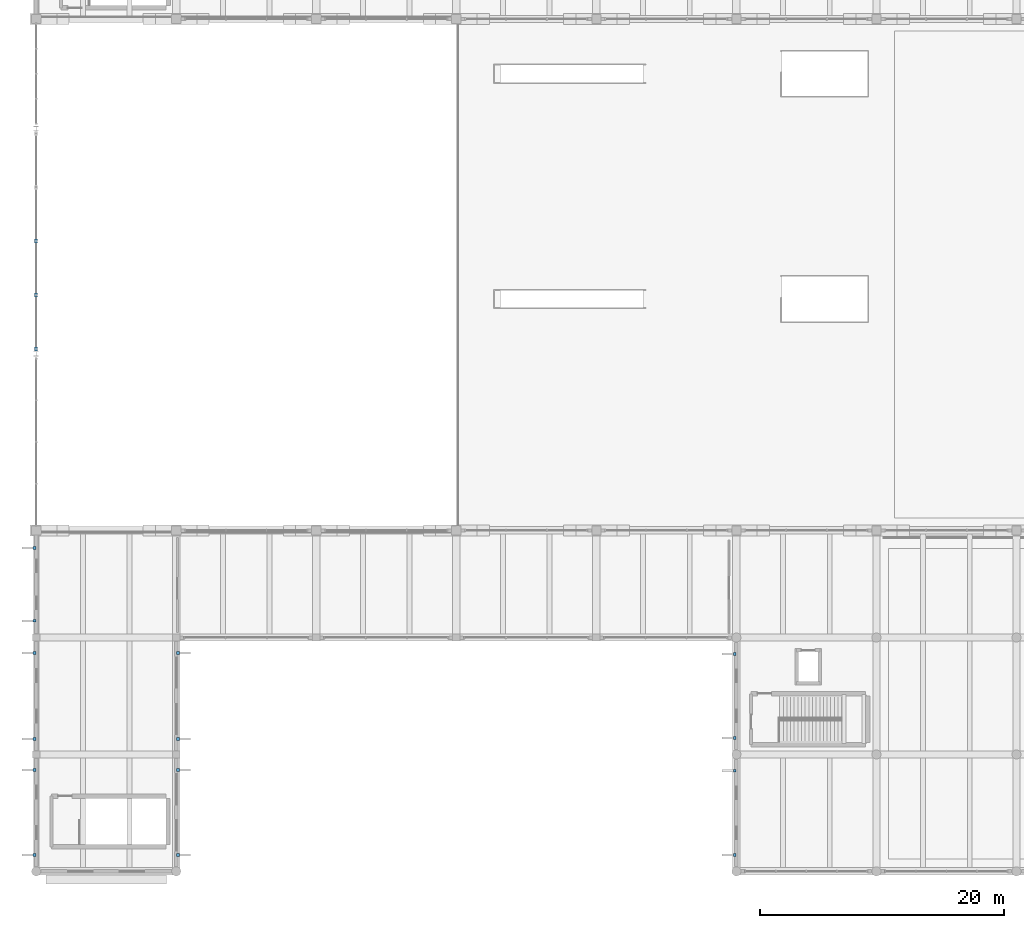
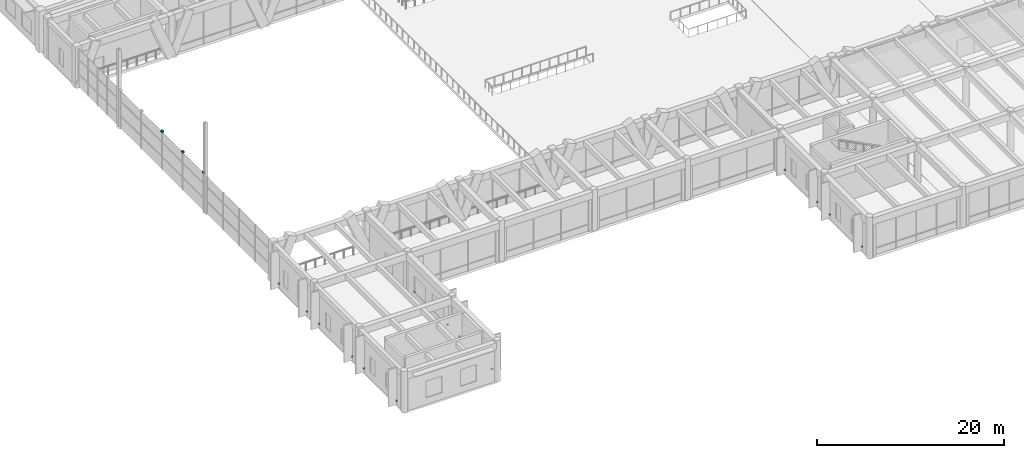
# One storey, part 136 of 148: 17 discrete accessories.
"""IFC4 building model written with IfcOpenShell, lengths in metres."""

import ifcopenshell
import ifcopenshell.guid

model = None  # the IFC model being written
_history = None  # IfcOwnerHistory: only IFC2X3 demands one
_inside = {}  # id of a spatial element -> (the spatial element, [elements in it])
_under = {}  # id of a project, library or spatial element -> (it, [spatial elements below it])
_declared = {}  # id of a project -> (the project, [libraries it declares])
_typed = {}  # id of a type object -> (the type object, [elements of that type])
_made_of = {}  # id of a material, layer set ... -> (it, [elements and type objects made of it])


def new_model(schema):
    """Start an empty IFC model of exactly this schema.

    Asked for "IFC4X3", IfcOpenShell would pick the latest addendum, in which some entities
    have other attributes; the version numbers below select the first issue.
    IFC2X3 requires an IfcOwnerHistory on every rooted entity: one is made here for all.
    """
    global model, _history
    if schema == "IFC4X3":
        model = ifcopenshell.file(schema_version=(4, 3, 0, 0))
    else:
        model = ifcopenshell.file(schema=schema)
    _inside.clear()
    _under.clear()
    _declared.clear()
    _typed.clear()
    _made_of.clear()
    _history = None
    if model.schema == "IFC2X3":
        org = make("IfcOrganization", Name="unknown")
        user = make(
            "IfcPersonAndOrganization",
            ThePerson=make("IfcPerson", FamilyName="unknown"),
            TheOrganization=org,
        )
        app = make(
            "IfcApplication",
            ApplicationDeveloper=org,
            Version="unknown",
            ApplicationFullName="unknown",
            ApplicationIdentifier="unknown",
        )
        _history = make(
            "IfcOwnerHistory",
            OwningUser=user,
            OwningApplication=app,
            ChangeAction="ADDED",
            CreationDate=0,
        )
    return model


def make(cls, **values):
    """One entity of the class cls with the attributes given. An attribute that is None is left unset."""
    return model.create_entity(
        cls, **{name: value for name, value in values.items() if value is not None}
    )


def rooted(cls, **values):
    """An entity with a GlobalId (a new one), such as an element, a storey or a relation."""
    return make(cls, GlobalId=ifcopenshell.guid.new(), OwnerHistory=_history, **values)


def si_unit(unit_type, name, prefix=None):
    """IfcSIUnit, for example si_unit("LENGTHUNIT", "METRE", prefix="MILLI")."""
    return make("IfcSIUnit", UnitType=unit_type, Prefix=prefix, Name=name)


def assignment(units):
    """IfcUnitAssignment: the units of a project."""
    return None if units is None else make("IfcUnitAssignment", Units=units)


def point(xyz):
    """IfcCartesianPoint."""
    return None if xyz is None else make("IfcCartesianPoint", Coordinates=xyz)


def direction(xyz):
    """IfcDirection."""
    return None if xyz is None else make("IfcDirection", DirectionRatios=xyz)


def frame(location, z_axis=None, x_axis=None):
    """IfcAxis2Placement3D, a coordinate frame: its origin and axes. An axis left out is left unset."""
    return make(
        "IfcAxis2Placement3D",
        Location=point(location),
        Axis=direction(z_axis),
        RefDirection=direction(x_axis),
    )


def frame_2d(location, x_axis=None):
    """IfcAxis2Placement2D, a coordinate frame in the plane: its origin and x axis."""
    return make(
        "IfcAxis2Placement2D", Location=point(location), RefDirection=direction(x_axis)
    )


def origin():
    """The frame at (0, 0, 0) with its axes left unset."""
    return frame((0.0, 0.0, 0.0))


def origin_2d():
    """The frame at (0, 0) in the plane with its x axis left unset."""
    return frame_2d((0.0, 0.0))


def place(relative_to, where):
    """IfcLocalPlacement: puts the frame where relative to a parent placement (None: the world)."""
    return make(
        "IfcLocalPlacement", PlacementRelTo=relative_to, RelativePlacement=where
    )


def context(
    kind, dimensions, precision=None, world=None, true_north=None, identifier=None
):
    """IfcGeometricRepresentationContext, for example the 3D "Model" context."""
    return make(
        "IfcGeometricRepresentationContext",
        ContextIdentifier=identifier,
        ContextType=kind,
        CoordinateSpaceDimension=dimensions,
        Precision=precision,
        WorldCoordinateSystem=world,
        TrueNorth=true_north,
    )


def subcontext(parent, identifier, kind, view, scale=None):
    """IfcGeometricRepresentationSubContext, for example "Body" below "Model"."""
    return make(
        "IfcGeometricRepresentationSubContext",
        ContextIdentifier=identifier,
        ContextType=kind,
        ParentContext=parent,
        TargetScale=scale,
        TargetView=view,
    )


def project(units=None, contexts=None):
    """IfcProject with its units and contexts."""
    return rooted(
        "IfcProject",
        Name="project",
        RepresentationContexts=contexts,
        UnitsInContext=assignment(units),
    )


def spatial(cls, under=None, at=None, **own):
    """A site, building, storey or space (cls), placed at a placement, below another one or the project."""
    s = rooted(cls, ObjectPlacement=at, **own)
    if under is not None:
        _under.setdefault(under.id(), (under, []))[1].append(s)
    return s


def profile(cls, at=None, kind="AREA", **sizes):
    """A parametric profile (cls). Its sizes go by their IFC names, for example OverallWidth=200.0."""
    return make(cls, ProfileType=kind, Position=at, **sizes)


def rectangle(**sizes):
    """IfcRectangleProfileDef."""
    return profile("IfcRectangleProfileDef", **sizes)


def extrude(swept, where, along, depth):
    """IfcExtrudedAreaSolid: the profile swept, set in the frame where, extruded along a direction by depth."""
    return make(
        "IfcExtrudedAreaSolid",
        SweptArea=swept,
        Position=where,
        ExtrudedDirection=direction(along),
        Depth=depth,
    )


def shape(context_of_items, identifier, shape_type, items):
    """IfcShapeRepresentation: the items that make up one representation, for example the "Body"."""
    return make(
        "IfcShapeRepresentation",
        ContextOfItems=context_of_items,
        RepresentationIdentifier=identifier,
        RepresentationType=shape_type,
        Items=items,
    )


def material(Name=None, Category=None):
    """IfcMaterial."""
    return make("IfcMaterial", Name=Name, Category=Category)


def made_of(thing, what):
    """Note that an element or type object is made of a material, layer set ...; save() writes the relation."""
    if what is not None:
        _made_of.setdefault(what.id(), (what, []))[1].append(thing)
    return thing


def type_object(cls, material=None, **own):
    """A type object (cls), such as IfcWallType, which elements share."""
    return made_of(rooted(cls, **own), material)


def element(
    cls,
    number,
    at=None,
    inside=None,
    cuts=None,
    type_object=None,
    material=None,
    context=None,
    identifier="Body",
    shape_type=None,
    held_by="IfcProductDefinitionShape",
    body=None,
    shapes=None,
    **own,
):
    """One element of the class cls, such as IfcWall. Its Tag is "e" and its number.

    at: its placement. inside: the storey or other place that contains it. cuts: it is an
    opening in that element (IfcRelVoidsElement). A single representation is given by context,
    identifier, shape_type and body (its items); several are given by shapes. held_by: the class
    of the entity that holds the representations. save() writes the other relations.
    """
    e = rooted(cls, Tag="e%d" % number, ObjectPlacement=at, **own)
    if body is not None:
        shapes = [shape(context, identifier, shape_type, body)]
    if shapes is not None:
        e.Representation = make(held_by, Representations=shapes)
    if inside is not None:
        _inside.setdefault(inside.id(), (inside, []))[1].append(e)
    if cuts is not None:
        rooted(
            "IfcRelVoidsElement", RelatingBuildingElement=cuts, RelatedOpeningElement=e
        )
    if type_object is not None:
        _typed.setdefault(type_object.id(), (type_object, []))[1].append(e)
    return made_of(e, material)


def aggregate(whole, parts):
    """IfcRelAggregates: a whole, such as a stair, and the parts it consists of."""
    return rooted("IfcRelAggregates", RelatingObject=whole, RelatedObjects=parts)


def save(model, path):
    """Write the relations noted so far, then the file.

    IfcRelAggregates (storeys below a building ...), IfcRelContainedInSpatialStructure (elements
    in a storey), IfcRelDefinesByType, IfcRelAssociatesMaterial and IfcRelDeclares: one each for
    every whole, place, type object, material and project.
    """
    for whole, parts in _under.values():
        aggregate(whole, parts)
    for where, things in _inside.values():
        rooted(
            "IfcRelContainedInSpatialStructure",
            RelatedElements=things,
            RelatingStructure=where,
        )
    for kind, things in _typed.values():
        rooted("IfcRelDefinesByType", RelatedObjects=things, RelatingType=kind)
    for what, things in _made_of.values():
        rooted("IfcRelAssociatesMaterial", RelatedObjects=things, RelatingMaterial=what)
    for by, libraries in _declared.values():
        rooted("IfcRelDeclares", RelatingContext=by, RelatedDefinitions=libraries)
    model.write(path)


model = new_model("IFC4")

# Units and contexts
model_context = context("Model", 3, precision=1e-05, world=origin(), true_north=direction((0.0, 1.0)))
body_context = subcontext(model_context, "Body", "Model", "MODEL_VIEW")
ifc_project = project(units=[si_unit("LENGTHUNIT", "METRE"), si_unit("AREAUNIT", "SQUARE_METRE"), si_unit("VOLUMEUNIT", "CUBIC_METRE"), si_unit("PLANEANGLEUNIT", "RADIAN"), si_unit("MASSUNIT", "GRAM", prefix="KILO")], contexts=[model_context])

# Site, building, storey
site_placement = place(None, origin())
site = spatial("IfcSite", under=ifc_project, at=site_placement, CompositionType="ELEMENT")
building_placement = place(site_placement, origin())
building = spatial("IfcBuilding", under=site, at=building_placement, Name="Ologun Quay Terminus", CompositionType="ELEMENT")
storey_placement = place(building_placement, frame((0.0, 0.0, 8.39990234375)))
storey = spatial("IfcBuildingStorey", under=building, at=storey_placement, Name="L02", CompositionType="ELEMENT", Elevation=8.39990234375)

# Discrete accessories
ifc_material_1 = material(Name="Steel S355", Category="steel")
discrete_accessory_type_1 = type_object("IfcDiscreteAccessoryType", Name="Brace & Strut End Gusset Connection Plate 360x360x20", PredefinedType="BRACKET", material=ifc_material_1)
for number, where, z_axis, x_axis, name in (
    (1, (0.0, 50.89990234375, 5.05029296875), (0.0, 0.0, 1.0), (1.0, 0.0, 0.0), "GUS-END Gable Screen Head Cleat W2-1"),
    (2, (0.0, 55.324951171875, 5.05029296875), (0.0, 0.0, 1.0), (1.0, 0.0, 0.0), "GUS-END Gable Screen Head Cleat W2-2"),
    (3, (0.0, 59.75, 5.05029296875), (0.0, 0.0, 1.0), (1.0, 0.0, 0.0), "GUS-END Gable Screen Head Cleat W2-3"),
):
    element("IfcDiscreteAccessory", number, at=place(storey_placement, frame(where, z_axis=z_axis, x_axis=x_axis)), inside=storey, type_object=discrete_accessory_type_1, Name=name, PredefinedType="BRACKET", context=body_context, shape_type="SweptSolid", body=[
        extrude(rectangle(XDim=0.239990234375, YDim=0.320068359375, at=origin_2d()), origin(), (0.0, 0.0, 1.0), 0.219970703125),
    ])
ifc_material_2 = material(Name="Steel S355", Category="steel")
discrete_accessory_type_2 = type_object("IfcDiscreteAccessoryType", Name="Solar Fin Stainless Support Bracket", PredefinedType="BRACKET", material=ifc_material_2)
for number, where, z_axis, x_axis, name in (
    (4, (11.639892578125, 9.344970703125, 0.52001953125), (0.0, 0.0, 1.0), (1.0, 0.0, 0.0), "BRK-01 Solar Fin Bracket WEW-SA-L02-1-2-1"),
    (5, (11.639892578125, 16.330078125, 0.52001953125), (0.0, 0.0, 1.0), (1.0, 0.0, 0.0), "BRK-01 Solar Fin Bracket WEW-SA-L02-1-2-2"),
    (6, (11.639892578125, 18.8701171875, 0.52001953125), (0.0, 0.0, 1.0), (1.0, 0.0, 0.0), "BRK-01 Solar Fin Bracket WEW-SA-L02-1-3-1"),
    (7, (11.639892578125, 25.929931640625, 0.52001953125), (0.0, 0.0, 1.0), (1.0, 0.0, 0.0), "BRK-01 Solar Fin Bracket WEW-SA-L02-1-3-2"),
    (8, (-0.139892578125, 9.344970703125, 0.52001953125), (0.0, 0.0, 1.0), (1.0, 0.0, 0.0), "BRK-01 Solar Fin Bracket WEW-SA-L02-1-14-1"),
    (9, (-0.139892578125, 16.330078125, 0.52001953125), (0.0, 0.0, 1.0), (1.0, 0.0, 0.0), "BRK-01 Solar Fin Bracket WEW-SA-L02-1-14-2"),
    (10, (-0.139892578125, 18.8701171875, 0.52001953125), (0.0, 0.0, 1.0), (1.0, 0.0, 0.0), "BRK-01 Solar Fin Bracket WEW-SA-L02-1-15-1"),
    (11, (-0.139892578125, 25.929931640625, 0.52001953125), (0.0, 0.0, 1.0), (1.0, 0.0, 0.0), "BRK-01 Solar Fin Bracket WEW-SA-L02-1-15-2"),
    (12, (-0.139892578125, 28.570068359375, 0.52001953125), (0.0, 0.0, 1.0), (1.0, 0.0, 0.0), "BRK-01 Solar Fin Bracket WEW-SA-L02-1-16-1"),
    (13, (-0.139892578125, 34.554931640625, 0.52001953125), (0.0, 0.0, 1.0), (1.0, 0.0, 0.0), "BRK-01 Solar Fin Bracket WEW-SA-L02-1-16-2"),
    (14, (57.360107421875, 9.344970703125, 0.52001953125), (0.0, 0.0, 1.0), (1.0, 0.0, 0.0), "BRK-01 Solar Fin Bracket WEW-SA-L02-2-16-1"),
    (15, (57.360107421875, 16.2548828125, 0.52001953125), (0.0, 0.0, 1.0), (1.0, 0.0, 0.0), "BRK-01 Solar Fin Bracket WEW-SA-L02-2-16-2"),
    (16, (57.360107421875, 18.945068359375, 0.52001953125), (0.0, 0.0, 1.0), (1.0, 0.0, 0.0), "BRK-01 Solar Fin Bracket WEW-SA-L02-2-17-1"),
    (17, (57.360107421875, 25.85498046875, 0.52001953125), (0.0, 0.0, 1.0), (1.0, 0.0, 0.0), "BRK-01 Solar Fin Bracket WEW-SA-L02-2-17-2"),
):
    element("IfcDiscreteAccessory", number, at=place(storey_placement, frame(where, z_axis=z_axis, x_axis=x_axis)), inside=storey, type_object=discrete_accessory_type_2, Name=name, PredefinedType="BRACKET", context=body_context, shape_type="SweptSolid", body=[
        extrude(rectangle(XDim=0.219970703125, YDim=0.219970703125, at=origin_2d()), origin(), (0.0, 0.0, 1.0), 0.159912109375),
    ])

save(model, "model.ifc")
